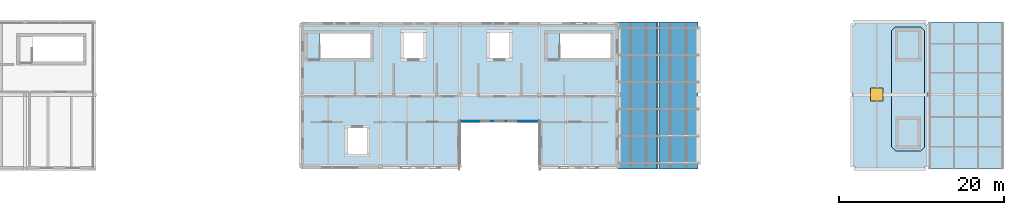
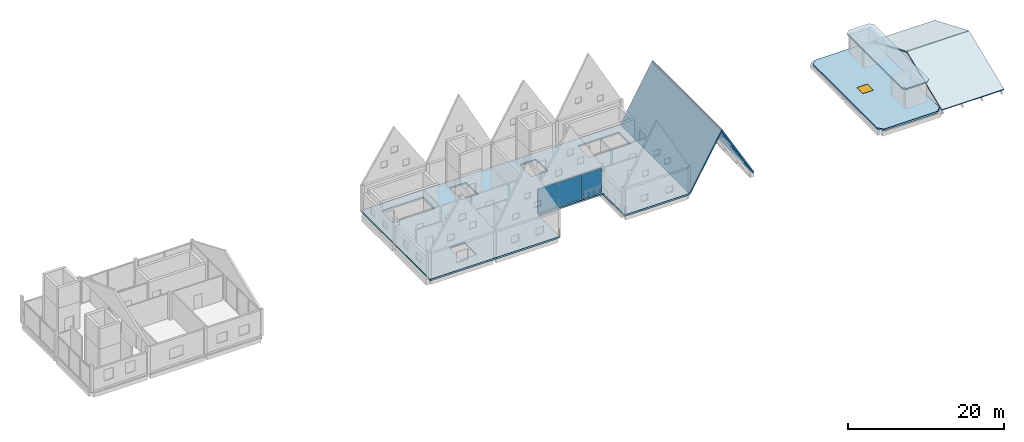
# One storey, part 6 of 13: 7 slabs, 3 plates, 1 window, 1 opening, 3 elements without a shape of their own.
"""IFC4 building model written with IfcOpenShell, lengths in metres."""

from ifc_helpers import new_model, si_unit, direction, frame, origin, origin_2d, place, context, subcontext, project, spatial, polyline, rectangle, outline, extrude, material, layer, layer_set, type_object, element, fill, aggregate, save


model = new_model("IFC4")

# Units and contexts
model_context = context("Model", 3, precision=1e-05, world=origin(), true_north=direction((0.0, 1.0)))
body_context = subcontext(model_context, "Body", "Model", "MODEL_VIEW")
ifc_project = project(units=[si_unit("LENGTHUNIT", "METRE"), si_unit("AREAUNIT", "SQUARE_METRE"), si_unit("VOLUMEUNIT", "CUBIC_METRE"), si_unit("PLANEANGLEUNIT", "RADIAN"), si_unit("MASSUNIT", "GRAM", prefix="KILO")], contexts=[model_context])

# Site, building, storey
site_placement = place(None, origin())
site = spatial("IfcSite", under=ifc_project, at=site_placement, CompositionType="ELEMENT")
building_placement = place(site_placement, origin())
building = spatial("IfcBuilding", under=site, at=building_placement, Name="Birchvale Park Specialist Clinic", CompositionType="ELEMENT")
storey_placement = place(building_placement, frame((0.0, 0.0, 22.199951171875)))
storey = spatial("IfcBuildingStorey", under=building, at=storey_placement, Name="L05", CompositionType="ELEMENT", Elevation=22.199951171875)

# Curtain wall, plates
ifc_material_1 = material(Name="Thermally broken anodised aluminium", Category="aluminium")
ifc_layer_1 = layer(ifc_material_1, 0.179931640625)
ifc_layer_set_1 = layer_set([ifc_layer_1], Name="Thermally broken anodised aluminium")
curtain_wall_type = type_object("IfcCurtainWallType", Name="CW-U1", PredefinedType="USERDEFINED", material=ifc_layer_set_1)
curtain_wall_placement = place(storey_placement, origin())
curtain_wall = element("IfcCurtainWall", 1, at=curtain_wall_placement, inside=storey, type_object=curtain_wall_type, Name="V4 L05 glazed curtain wall 152", ObjectType="UNITISED", PredefinedType="USERDEFINED")
ifc_material_2 = material(Name="Solar-control low-E double glazing", Category="glass")
ifc_layer_2 = layer(ifc_material_2, 0.028076171875)
ifc_layer_set_2 = layer_set([ifc_layer_2], Name="Solar-control low-E double glazing")
plate_type = type_object("IfcPlateType", Name="CWP1", PredefinedType="CURTAIN_PANEL", material=ifc_layer_set_2)
plate_1_placement = place(storey_placement, frame((82.215087890625, 22.590087890625, 0.06005859375), z_axis=(0.0, 0.0, 1.0), x_axis=(1.0, 0.0, 0.0)))
plate_1 = element("IfcPlate", 2, at=plate_1_placement, type_object=plate_type, Name="CW panel 1.1", PredefinedType="CURTAIN_PANEL", context=body_context, shape_type="SweptSolid", body=[
    extrude(rectangle(XDim=3.110107421875, YDim=0.028076171875, at=origin_2d()), origin(), (0.0, 0.0, 1.0), 3.800048828125),
])
plate_2_placement = place(storey_placement, frame((85.39990234375, 22.590087890625, 0.06005859375), z_axis=(0.0, 0.0, 1.0), x_axis=(1.0, 0.0, 0.0)))
plate_2 = element("IfcPlate", 3, at=plate_2_placement, type_object=plate_type, Name="CW panel 2.1", PredefinedType="CURTAIN_PANEL", context=body_context, shape_type="SweptSolid", body=[
    extrude(rectangle(XDim=3.139892578125, YDim=0.028076171875, at=origin_2d()), origin(), (0.0, 0.0, 1.0), 3.800048828125),
])
plate_3_placement = place(storey_placement, frame((88.5849609375, 22.590087890625, 0.06005859375), z_axis=(0.0, 0.0, 1.0), x_axis=(1.0, 0.0, 0.0)))
plate_3 = element("IfcPlate", 4, at=plate_3_placement, type_object=plate_type, Name="CW panel 3.1", PredefinedType="CURTAIN_PANEL", context=body_context, shape_type="SweptSolid", body=[
    extrude(rectangle(XDim=3.110107421875, YDim=0.028076171875, at=origin_2d()), origin(), (0.0, 0.0, 1.0), 3.800048828125),
])
aggregate(curtain_wall, [plate_1, plate_2, plate_3])

# Slab
ifc_material_3 = material(Name="Concrete C35/45", Category="concrete")
ifc_layer_3 = layer(ifc_material_3, 0.260009765625)
ifc_layer_set_3 = layer_set([ifc_layer_3], Name="Concrete C35/45")
slab_type_1 = type_object("IfcSlabType", Name="SLB-FS5", PredefinedType="FLOOR", material=ifc_layer_set_3)
slab_1_placement = place(storey_placement, frame((0.0, 0.0, -0.260009765625)))
element("IfcSlab", 5, at=slab_1_placement, inside=storey, type_object=slab_type_1, Name="V4 L05 structural slab 1", PredefinedType="FLOOR", context=body_context, shape_type="SweptSolid", body=[
    extrude(outline(polyline([(61.39990234375, 16.800048828125), (80.60009765625, 16.800048828125), (80.60009765625, 22.39990234375), (90.199951171875, 22.39990234375), (90.199951171875, 16.800048828125), (99.800048828125, 16.800048828125), (99.800048828125, 34.60009765625), (61.39990234375, 34.60009765625), (61.39990234375, 16.800048828125)]), holes=[polyline([(63.705078125, 30.199951171875), (69.800048828125, 30.199951171875), (69.800048828125, 33.199951171875), (63.705078125, 33.199951171875), (63.705078125, 30.199951171875)]), polyline([(92.705078125, 30.199951171875), (98.800048828125, 30.199951171875), (98.800048828125, 33.199951171875), (92.705078125, 33.199951171875), (92.705078125, 30.199951171875)]), polyline([(73.800048828125, 30.199951171875), (76.199951171875, 30.199951171875), (76.199951171875, 33.300048828125), (73.800048828125, 33.300048828125), (73.800048828125, 30.199951171875)]), polyline([(84.199951171875, 30.199951171875), (86.60009765625, 30.199951171875), (86.60009765625, 33.300048828125), (84.199951171875, 33.300048828125), (84.199951171875, 30.199951171875)]), polyline([(67.050048828125, 18.64990234375), (69.35009765625, 18.64990234375), (69.35009765625, 21.75), (67.050048828125, 21.75), (67.050048828125, 18.64990234375)])]), origin(), (0.0, 0.0, 1.0), 0.260009765625),
])

# Roof, slabs
ifc_material_4 = material(Name="Standing-seam titanium-zinc roofing")
roof_type = type_object("IfcRoofType", Name="ROOF-GBL1", PredefinedType="GABLE_ROOF", material=ifc_material_4)
roof_1_placement = place(storey_placement, origin())
roof_1 = element("IfcRoof", 6, at=roof_1_placement, inside=storey, type_object=roof_type, Name="L05 house-shaped gable roof V4-B6", PredefinedType="GABLE_ROOF")
ifc_layer_4 = layer(ifc_material_3, 0.2099609375)
ifc_layer_set_4 = layer_set([ifc_layer_4], Name="Concrete C35/45")
slab_type_2 = type_object("IfcSlabType", Name="SLB-RS1", PredefinedType="ROOF", material=ifc_layer_set_4)
slab_2_placement = place(storey_placement, frame((99.800048828125, 16.800048828125, 0.0), z_axis=(-0.868249416398, 0.0, 0.496127958218), x_axis=(0.496127958218, 0.0, 0.868249416398)))
slab_2 = element("IfcSlab", 7, at=slab_2_placement, type_object=slab_type_2, Name="L05 gable roof deck V4-B6 W", PredefinedType="ROOF", context=body_context, shape_type="SweptSolid", body=[
    extrude(outline(polyline([(0.0, 0.0), (9.57807969958497, 0.0), (9.57807969958497, 17.800048828125), (0.0, 17.800048828125), (0.0, 0.0)])), origin(), (0.0, 0.0, -1.0), 0.2099609375),
])
slab_3_placement = place(storey_placement, frame((104.64794921875, 16.800048828125, 8.316162109375), z_axis=(0.868249416398, 0.0, 0.496127958218), x_axis=(0.496127958218, 0.0, -0.868249416398)))
slab_3 = element("IfcSlab", 8, at=slab_3_placement, type_object=slab_type_2, Name="L05 gable roof deck V4-B6 E", PredefinedType="ROOF", context=body_context, shape_type="SweptSolid", body=[
    extrude(outline(polyline([(0.0, 0.0), (9.57807969958497, 0.0), (9.57807969958497, 17.800048828125), (0.0, 17.800048828125), (0.0, 0.0)])), origin(), (0.0, 0.0, -1.0), 0.2099609375),
])
aggregate(roof_1, [slab_2, slab_3])

roof_2_placement = place(storey_placement, origin())
roof_2 = element("IfcRoof", 9, at=roof_2_placement, inside=storey, type_object=roof_type, Name="L05 pitched gable roof V5-L05-G1", PredefinedType="GABLE_ROOF")
ifc_layer_5 = layer(ifc_material_3, 0.195068359375)
ifc_layer_set_5 = layer_set([ifc_layer_5], Name="Concrete C35/45")
slab_type_3 = type_object("IfcSlabType", Name="SLB-RS2", PredefinedType="ROOF", material=ifc_layer_set_5)
slab_4_placement = place(storey_placement, frame((137.199951171875, 16.800048828125, 0.0), z_axis=(0.0, -0.380249899011, 0.924883784214), x_axis=(1.0, 0.0, 0.0)))
slab_4 = element("IfcSlab", 10, at=slab_4_placement, type_object=slab_type_3, Name="L05 gable roof deck V5-L05-G1 S", PredefinedType="ROOF", context=body_context, shape_type="SweptSolid", body=[
    extrude(outline(polyline([(0.0, 0.0), (9.199951171875, 0.0), (9.199951171875, 9.678950425626915), (0.0, 9.678950425626915), (0.0, 0.0)])), origin(), (0.0, 0.0, -1.0), 0.195068359375),
])
slab_5_placement = place(storey_placement, frame((137.199951171875, 25.847900390625, 3.679931640625), z_axis=(0.0, 0.387591370781, 0.921831291125), x_axis=(1.0, 0.0, 0.0)))
slab_5 = element("IfcSlab", 11, at=slab_5_placement, type_object=slab_type_3, Name="L05 gable roof deck V5-L05-G1 N", PredefinedType="ROOF", context=body_context, shape_type="SweptSolid", body=[
    extrude(outline(polyline([(0.0, 0.0), (9.199951171875, 0.0), (9.199951171875, 9.494359054516885), (0.0, 9.494359054516885), (0.0, 0.0)])), origin(), (0.0, 0.0, -1.0), 0.195068359375),
])
aggregate(roof_2, [slab_4, slab_5])

# Slab, opening, window
ifc_layer_6 = layer(ifc_material_3, 0.27490234375)
ifc_layer_set_6 = layer_set([ifc_layer_6], Name="Concrete C35/45")
slab_type_4 = type_object("IfcSlabType", Name="SLB-RS4", PredefinedType="ROOF", material=ifc_layer_set_6)
slab_6_placement = place(storey_placement, frame((0.0, 0.0, -0.27490234375)))
slab_6 = element("IfcSlab", 12, at=slab_6_placement, inside=storey, type_object=slab_type_4, Name="V5 L05 flat roof slab SLB-V5-L05-SKL", PredefinedType="ROOF", context=body_context, shape_type="SweptSolid", body=[
    extrude(outline(polyline([(128.64990234375, 16.800048828125), (136.550048828125, 16.800048828125), (137.199951171875, 17.449951171875), (137.199951171875, 33.949951171875), (136.550048828125, 34.60009765625), (128.64990234375, 34.60009765625), (128.0, 33.949951171875), (128.0, 17.449951171875), (128.64990234375, 16.800048828125)])), origin(), (0.0, 0.0, 1.0), 0.27490234375),
])
opening_placement = place(slab_6_placement, frame((131.0, 25.800048828125, 0.0)))
opening = element("IfcOpeningElement", 13, at=opening_placement, cuts=slab_6, Name="Opening SK-03", PredefinedType="OPENING", context=body_context, shape_type="SweptSolid", body=[
    extrude(rectangle(XDim=1.550048828125, YDim=1.550048828125, at=origin_2d()), frame((0.0, 0.0, -0.010009765625)), (0.0, 0.0, 1.0), 0.294921875),
])
window_type = type_object("IfcWindowType", Name="WIN-SK-03", PartitioningType="SINGLE_PANEL", PredefinedType="SKYLIGHT", material=ifc_material_2)
window_placement = place(opening_placement, frame((0.0, 0.0, 0.224853515625)))
window = element("IfcWindow", 14, at=window_placement, inside=storey, type_object=window_type, Name="L05 roof daylight skylight 12", OverallHeight=1.550048828125, OverallWidth=1.550048828125, PartitioningType="SINGLE_PANEL", PredefinedType="SKYLIGHT", context=body_context, shape_type="SweptSolid", body=[
    extrude(rectangle(XDim=1.550048828125, YDim=1.550048828125, at=origin_2d()), origin(), (0.0, 0.0, 1.0), 0.050048828125),
])
fill(opening, window)

# Slab
ifc_layer_7 = layer(ifc_material_3, 0.25)
ifc_layer_set_7 = layer_set([ifc_layer_7], Name="Concrete C35/45")
slab_type_5 = type_object("IfcSlabType", Name="SLB-RS5", PredefinedType="ROOF", material=ifc_layer_set_7)
slab_7_placement = place(storey_placement, frame((0.0, 0.0, 3.150146484375)))
element("IfcSlab", 15, at=slab_7_placement, inside=storey, type_object=slab_type_5, Name="V5 L05 lift overrun cap roof", PredefinedType="ROOF", context=body_context, shape_type="SweptSolid", body=[
    extrude(outline(polyline([(133.280029296875, 19.0), (136.320068359375, 19.0), (136.800048828125, 19.47998046875), (136.800048828125, 33.52001953125), (136.320068359375, 34.0), (133.280029296875, 34.0), (132.800048828125, 33.52001953125), (132.800048828125, 19.47998046875), (133.280029296875, 19.0)])), origin(), (0.0, 0.0, 1.0), 0.25),
])

save(model, "model.ifc")
